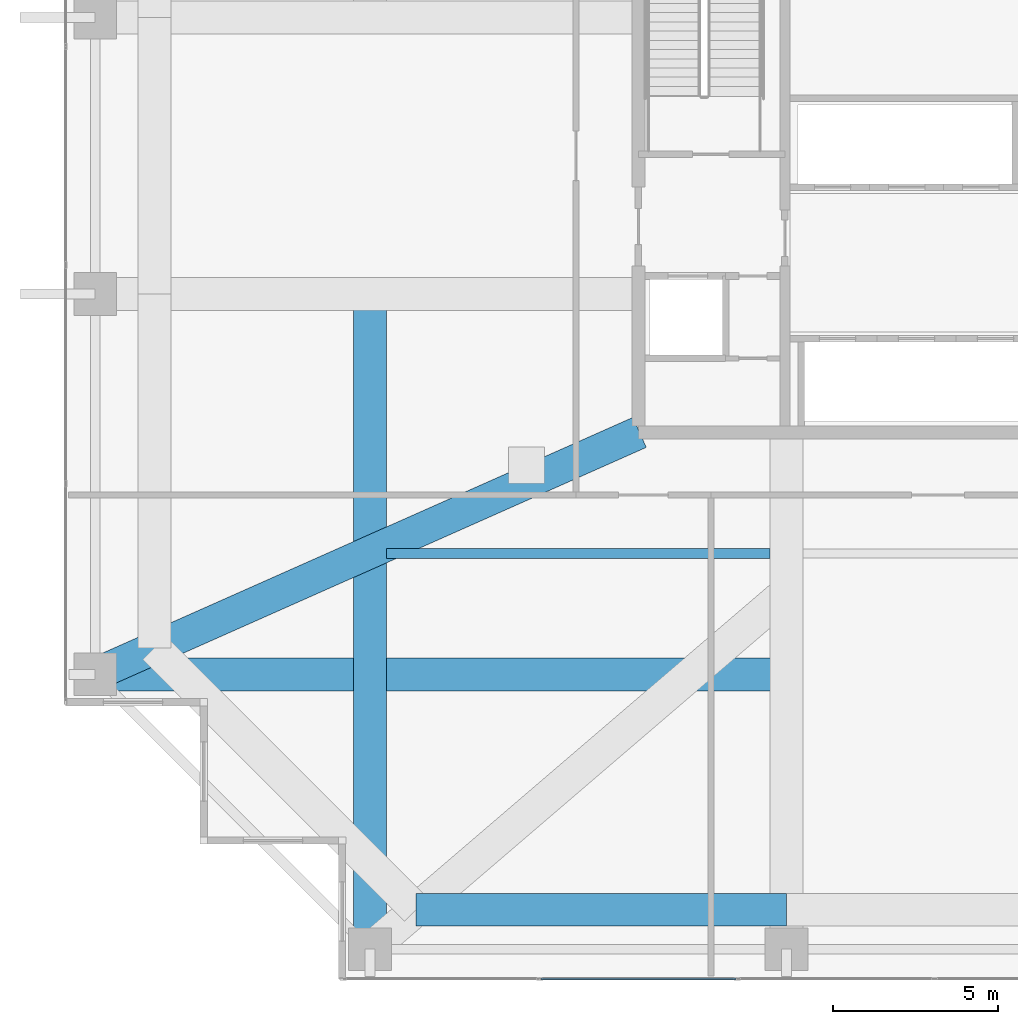
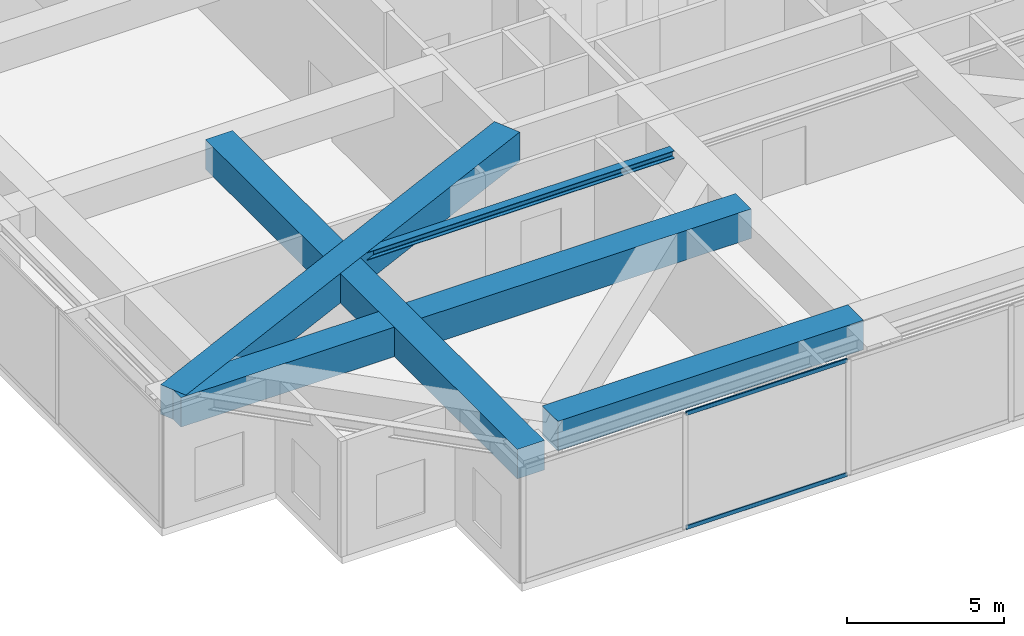
# One storey, part 5 of 35: 5 beams, 2 members, 1 element without a shape of its own.
"""IFC4 building model written with IfcOpenShell, lengths in metres."""

from ifc_helpers import new_model, si_unit, direction, frame, origin, origin_2d, place, context, subcontext, project, spatial, rectangle, hollow_rectangle, i_section, extrude, source, transform, mapped, material, layer, layer_set, material_profile, profile_set, type_object, element, aggregate, save


model = new_model("IFC4")

# Units and contexts
model_context = context("Model", 3, precision=1e-05, world=origin(), true_north=direction((0.0, 1.0)))
body_context = subcontext(model_context, "Body", "Model", "MODEL_VIEW")
ifc_project = project(units=[si_unit("LENGTHUNIT", "METRE"), si_unit("AREAUNIT", "SQUARE_METRE"), si_unit("VOLUMEUNIT", "CUBIC_METRE"), si_unit("PLANEANGLEUNIT", "RADIAN"), si_unit("MASSUNIT", "GRAM", prefix="KILO")], contexts=[model_context])

# Site, building, storey
site_placement = place(None, origin())
site = spatial("IfcSite", under=ifc_project, at=site_placement, CompositionType="ELEMENT")
building_placement = place(site_placement, origin())
building = spatial("IfcBuilding", under=site, at=building_placement, Name="Serunith Strait Residences", CompositionType="ELEMENT")
storey_placement = place(building_placement, frame((0.0, 0.0, 115.199951171875)))
storey = spatial("IfcBuildingStorey", under=building, at=storey_placement, Name="L28", CompositionType="ELEMENT", Elevation=115.199951171875)

# Beams
ifc_material_1 = material(Name="Concrete C80/95", Category="concrete")
ifc_material_profile_1 = material_profile(ifc_material_1, rectangle(XDim=1.0, YDim=1.14990234375, at=origin_2d()), Name="RC 1000x1150")
ifc_profile_set_1 = profile_set([ifc_material_profile_1], Name="Concrete C80/95")
beam_type_1 = type_object("IfcBeamType", Name="BM-XFER-1000x1150", PredefinedType="BEAM", material=ifc_profile_set_1)
shared_shape_1 = source(origin(), body_context, "Body", "SweptSolid", [
    extrude(rectangle(XDim=1.0, YDim=1.14990234375, at=origin_2d()), origin(), (0.0, 0.0, 1.0), 19.89990234375),
])
beam_1_placement = place(storey_placement, frame((15.25, 21.0, 3.93505859375), z_axis=(0.0, -1.0, 0.0), x_axis=(1.0, 0.0, 0.0)))
element("IfcBeam", 1, at=beam_1_placement, inside=storey, type_object=beam_type_1, Name="L28 Orthogonal Corner Girder TC-S1", PredefinedType="BEAM", context=body_context, shape_type="MappedRepresentation", body=[
    mapped(shared_shape_1, transform((0.0, 0.0, 0.0), scale=1.0)),
])
shared_shape_2 = source(origin(), body_context, "Body", "SweptSolid", [
    extrude(rectangle(XDim=1.0, YDim=1.14990234375, at=origin_2d()), origin(), (0.0, 0.0, 1.0), 21.0),
])
beam_2_placement = place(storey_placement, frame((27.89990234375, 9.449951171875, 3.93505859375), z_axis=(-1.0, 0.0, 0.0), x_axis=(0.0, -1.0, 0.0)))
element("IfcBeam", 2, at=beam_2_placement, inside=storey, type_object=beam_type_1, Name="L28 Orthogonal Corner Girder TC-W1", PredefinedType="BEAM", context=body_context, shape_type="MappedRepresentation", body=[
    mapped(shared_shape_2, transform((0.0, 0.0, 0.0), scale=1.0)),
])
shared_shape_3 = source(origin(), body_context, "Body", "SweptSolid", [
    extrude(rectangle(XDim=1.0, YDim=1.14990234375, at=origin_2d()), origin(), (0.0, 0.0, 1.0), 18.097412109375),
])
beam_3_placement = place(storey_placement, frame((6.89990234375, 9.449951171875, 3.93505859375), z_axis=(0.913810436009, 0.406140969419, 0.0), x_axis=(-0.406140969419, 0.913810436009, 0.0)))
element("IfcBeam", 3, at=beam_3_placement, inside=storey, type_object=beam_type_1, Name="L28 Diagonal Corner Transfer Girder TC-W1", PredefinedType="BEAM", context=body_context, shape_type="MappedRepresentation", body=[
    mapped(shared_shape_3, transform((0.0, 0.0, 0.0), scale=1.0)),
])
shared_shape_4 = source(origin(), body_context, "Body", "SweptSolid", [
    extrude(rectangle(XDim=1.0, YDim=1.14990234375, at=origin_2d()), origin(), (0.0, 0.0, 1.0), 11.25),
])
beam_4_placement = place(storey_placement, frame((16.64990234375, 2.300048828125, 3.93505859375), z_axis=(1.0, 0.0, 0.0), x_axis=(0.0, 1.0, 0.0)))
element("IfcBeam", 4, at=beam_4_placement, inside=storey, type_object=beam_type_1, Name="L28 Flare Upper Ring Transfer Girder 01", PredefinedType="BEAM", context=body_context, shape_type="MappedRepresentation", body=[
    mapped(shared_shape_4, transform((0.0, 0.0, 0.0), scale=1.0)),
])
ifc_material_2 = material(Name="Steel S355J2", Category="steel")
ifc_material_profile_2 = material_profile(ifc_material_2, i_section(OverallWidth=0.300048828125, OverallDepth=0.300048828125, WebThickness=0.010986328125, FlangeThickness=0.01904296875, FilletRadius=0.027099609375, at=origin_2d()), Name="HEB 300")
ifc_profile_set_2 = profile_set([ifc_material_profile_2], Name="Steel S355J2")
beam_type_2 = type_object("IfcBeamType", Name="BM-HEB300", PredefinedType="JOIST", material=ifc_profile_set_2)
shared_shape_5 = source(origin(), body_context, "Body", "SweptSolid", [
    extrude(i_section(OverallWidth=0.300048828125, OverallDepth=0.300048828125, WebThickness=0.010986328125, FlangeThickness=0.01904296875, FilletRadius=0.027099609375, at=origin_2d()), origin(), (0.0, 0.0, 1.0), 11.64990234375),
])
beam_5_placement = place(storey_placement, frame((15.75, 13.125, 4.35693359375), z_axis=(1.0, 0.0, 0.0), x_axis=(0.0, 1.0, 0.0)))
element("IfcBeam", 5, at=beam_5_placement, inside=storey, type_object=beam_type_2, Name="L28 Composite Floor Joist 01", PredefinedType="JOIST", context=body_context, shape_type="MappedRepresentation", body=[
    mapped(shared_shape_5, transform((0.0, 0.0, 0.0), scale=1.0)),
])

# Curtain wall, members
ifc_material_3 = material(Name="Pale-Champagne Anodised Aluminium", Category="aluminium")
ifc_layer = layer(ifc_material_3, 0.199951171875, Name="Pale-Champagne Anodised Aluminium")
ifc_layer_set = layer_set([ifc_layer], Name="Pale-Champagne Anodised Aluminium")
curtain_wall_type = type_object("IfcCurtainWallType", Name="CW-SYS1", PredefinedType="NOTDEFINED", material=ifc_layer_set)
curtain_wall_placement = place(storey_placement, origin())
curtain_wall = element("IfcCurtainWall", 6, at=curtain_wall_placement, inside=storey, type_object=curtain_wall_type, Name="L28 S Unitised Fritted Curtain Wall", PredefinedType="NOTDEFINED")
ifc_material_profile_3 = material_profile(ifc_material_3, hollow_rectangle(XDim=0.06005859375, YDim=0.159912109375, WallThickness=0.00341796875, InnerFilletRadius=0.00537109375, OuterFilletRadius=0.0087890625, at=origin_2d()), Name="ALU 160x60x3.5")
ifc_profile_set_3 = profile_set([ifc_material_profile_3], Name="Pale-Champagne Anodised Aluminium")
member_type = type_object("IfcMemberType", Name="CW-SYS1-TRAN", PredefinedType="USERDEFINED", material=ifc_profile_set_3)
shared_shape_6 = source(origin(), body_context, "Body", "SweptSolid", [
    extrude(hollow_rectangle(XDim=0.06005859375, YDim=0.159912109375, WallThickness=0.00341796875, InnerFilletRadius=0.00537109375, OuterFilletRadius=0.0087890625, at=origin_2d()), origin(), (0.0, 0.0, 1.0), 5.929931640625),
])
member_1_placement = place(storey_placement, frame((20.43505859375, 0.199951171875, 0.030029296875), z_axis=(1.0, 0.0, 0.0), x_axis=(0.0, 1.0, 0.0)))
member_1 = element("IfcMember", 7, at=member_1_placement, type_object=member_type, Name="CW-1 transom 2.1", ObjectType="TRANSOM", PredefinedType="USERDEFINED", context=body_context, shape_type="MappedRepresentation", body=[
    mapped(shared_shape_6, transform((0.0, 0.0, 0.0), scale=1.0)),
])
member_2_placement = place(storey_placement, frame((20.43505859375, 0.199951171875, 4.465087890625), z_axis=(1.0, 0.0, 0.0), x_axis=(0.0, 1.0, 0.0)))
member_2 = element("IfcMember", 8, at=member_2_placement, type_object=member_type, Name="CW-1 transom 2.2", ObjectType="TRANSOM", PredefinedType="USERDEFINED", context=body_context, shape_type="MappedRepresentation", body=[
    mapped(shared_shape_6, transform((0.0, 0.0, 0.0), scale=1.0)),
])
aggregate(curtain_wall, [member_1, member_2])

save(model, "model.ifc")
